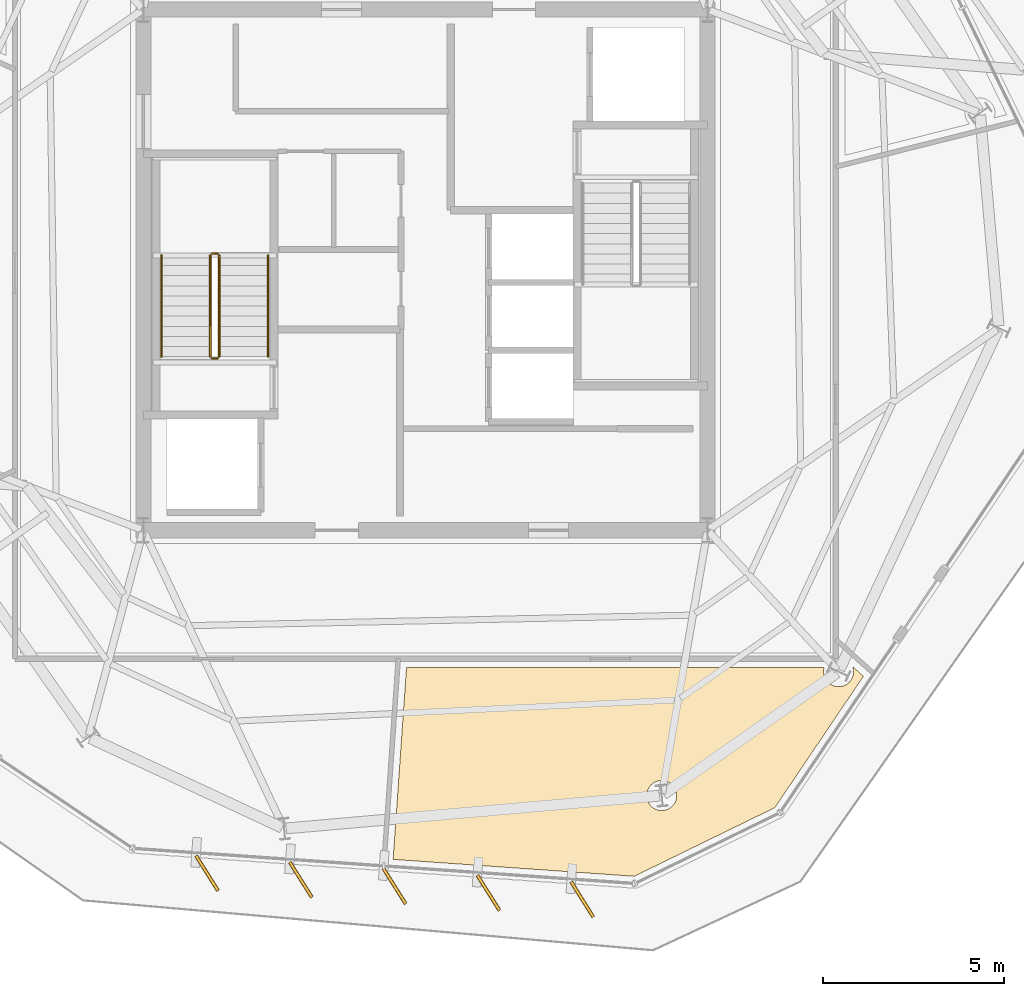
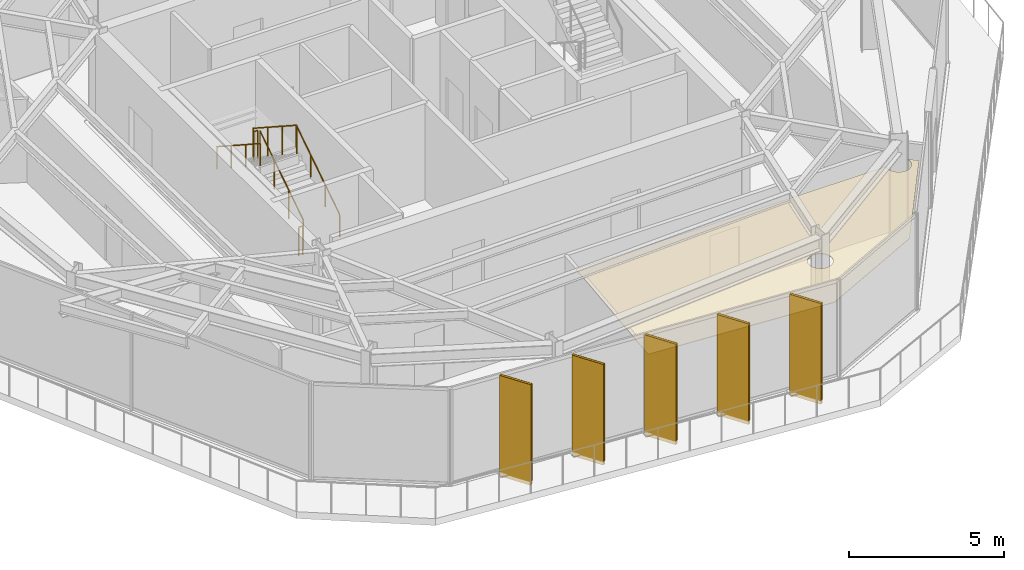
# One storey, part 10 of 12: 6 coverings, 6 railings, 5 shading devices.
"""IFC4 building model written with IfcOpenShell, lengths in metres."""

from ifc_helpers import new_model, si_unit, direction, frame, origin, origin_2d, place, context, subcontext, project, spatial, polyline, rectangle, circle, outline, extrude, material, layer, layer_set, type_object, element, save


model = new_model("IFC4")

# Units and contexts
model_context = context("Model", 3, precision=1e-05, world=origin(), true_north=direction((0.0, 1.0)))
body_context = subcontext(model_context, "Body", "Model", "MODEL_VIEW")
ifc_project = project(units=[si_unit("LENGTHUNIT", "METRE"), si_unit("AREAUNIT", "SQUARE_METRE"), si_unit("VOLUMEUNIT", "CUBIC_METRE"), si_unit("PLANEANGLEUNIT", "RADIAN"), si_unit("MASSUNIT", "GRAM", prefix="KILO")], contexts=[model_context])

# Site, building, storey
site_placement = place(None, origin())
site = spatial("IfcSite", under=ifc_project, at=site_placement, CompositionType="ELEMENT")
building_placement = place(site_placement, origin())
building = spatial("IfcBuilding", under=site, at=building_placement, Name="Kranzbogen Civic Tower", CompositionType="ELEMENT")
storey_placement = place(building_placement, frame((0.0, 0.0, 250.199951171875)))
storey = spatial("IfcBuildingStorey", under=building, at=storey_placement, Name="L60", CompositionType="ELEMENT", Elevation=250.199951171875)

# Coverings
ifc_material_1 = material(Name="Pale Anodised Aluminium", Category="aluminium")
ifc_layer_1 = layer(ifc_material_1, 0.02490234375, Name="Pale Anodised Aluminium")
ifc_layer_set_1 = layer_set([ifc_layer_1], Name="Pale Anodised Aluminium")
covering_type_1 = type_object("IfcCoveringType", Name="Anodised Aluminium Vertical Fin Cladding 25 mm", PredefinedType="CLADDING", material=ifc_layer_set_1)
for number, where, z_axis, x_axis, name in (
    (1, (18.9609375, 8.31591796875, -0.139892578125), (0.0, 0.0, 1.0), (0.532344492073, -0.846527815113, 0.0), "L60 vertical fin pale-metal cladding F4-1"),
    (2, (21.553955078125, 8.135009765625, -0.139892578125), (0.0, 0.0, 1.0), (0.532344492073, -0.846527815113, 0.0), "L60 vertical fin pale-metal cladding F4-2"),
    (3, (24.14794921875, 7.9541015625, -0.139892578125), (0.0, 0.0, 1.0), (0.532344492073, -0.846527815113, 0.0), "L60 vertical fin pale-metal cladding F4-3"),
    (4, (26.741943359375, 7.77197265625, -0.139892578125), (0.0, 0.0, 1.0), (0.532344492073, -0.846527815113, 0.0), "L60 vertical fin pale-metal cladding F4-4"),
    (5, (29.3349609375, 7.591064453125, -0.139892578125), (0.0, 0.0, 1.0), (0.532344492073, -0.846527815113, 0.0), "L60 vertical fin pale-metal cladding F4-5"),
):
    element("IfcCovering", number, at=place(storey_placement, frame(where, z_axis=z_axis, x_axis=x_axis)), inside=storey, type_object=covering_type_1, Name=name, PredefinedType="CLADDING", context=body_context, shape_type="SweptSolid", body=[
        extrude(rectangle(XDim=1.14990234375, YDim=0.094970703125, at=origin_2d()), origin(), (0.0, 0.0, 1.0), 3.9599609375),
    ])

# Railings
ifc_material_2 = material(Name="Steel S355", Category="steel")
railing_type_1 = type_object("IfcRailingType", Name="Internal Stair and Void Steel Guardrail 1150", PredefinedType="GUARDRAIL", material=ifc_material_2)
railing_1_placement = place(storey_placement, frame((19.300048828125, 22.60009765625, 0.181884765625)))
element("IfcRailing", 6, at=railing_1_placement, inside=storey, type_object=railing_type_1, Name="L60 ST-T1 stair guard 1", PredefinedType="GUARDRAIL", context=body_context, shape_type="SweptSolid", body=[
    extrude(circle(Radius=0.02392578125, at=origin_2d()), frame((0.0, 0.0, 1.1259765625), z_axis=(0.0, 0.83868413941, 0.544618136222), x_axis=(-1.0, 0.0, 0.0)), (0.0, 0.0, 1.0), 3.33837890625),
    extrude(circle(Radius=0.02099609375, at=origin_2d()), origin(), (0.0, 0.0, 1.0), 1.101806640625),
    extrude(circle(Radius=0.02099609375, at=origin_2d()), frame((0.0, 0.933349609375, 0.60595703125)), (0.0, 0.0, 1.0), 1.101806640625),
    extrude(circle(Radius=0.02099609375, at=origin_2d()), frame((0.0, 1.866455078125, 1.212158203125)), (0.0, 0.0, 1.0), 1.101806640625),
    extrude(circle(Radius=0.02099609375, at=origin_2d()), frame((0.0, 2.7998046875, 1.818115234375)), (0.0, 0.0, 1.0), 1.101806640625),
])
railing_2_placement = place(storey_placement, frame((19.25, 25.449951171875, 2.0)))
element("IfcRailing", 7, at=railing_2_placement, inside=storey, type_object=railing_type_1, Name="L60 ST-T1 stair guard 2", PredefinedType="GUARDRAIL", context=body_context, shape_type="SweptSolid", body=[
    extrude(circle(Radius=0.02392578125, at=origin_2d()), frame((0.0, 0.0, 1.1259765625), z_axis=(-1.0, 0.0, 0.0), x_axis=(0.0, -1.0, 0.0)), (0.0, 0.0, 1.0), 0.14990234375),
    extrude(circle(Radius=0.02099609375, at=origin_2d()), origin(), (0.0, 0.0, 1.0), 1.101806640625),
    extrude(circle(Radius=0.02099609375, at=origin_2d()), frame((-0.14990234375, 0.0, 0.0)), (0.0, 0.0, 1.0), 1.101806640625),
])
railing_3_placement = place(storey_placement, frame((19.050048828125, 25.39990234375, 2.181884765625)))
element("IfcRailing", 8, at=railing_3_placement, inside=storey, type_object=railing_type_1, Name="L60 ST-T1 stair guard 3", PredefinedType="GUARDRAIL", context=body_context, shape_type="SweptSolid", body=[
    extrude(circle(Radius=0.02392578125, at=origin_2d()), frame((0.0, 0.0, 1.1259765625), z_axis=(0.0, -0.83868413941, 0.544618136222), x_axis=(1.0, 0.0, 0.0)), (0.0, 0.0, 1.0), 3.33837890625),
    extrude(circle(Radius=0.02099609375, at=origin_2d()), origin(), (0.0, 0.0, 1.0), 1.101806640625),
    extrude(circle(Radius=0.02099609375, at=origin_2d()), frame((0.0, -0.933349609375, 0.60595703125)), (0.0, 0.0, 1.0), 1.101806640625),
    extrude(circle(Radius=0.02099609375, at=origin_2d()), frame((0.0, -1.866455078125, 1.212158203125)), (0.0, 0.0, 1.0), 1.101806640625),
    extrude(circle(Radius=0.02099609375, at=origin_2d()), frame((0.0, -2.7998046875, 1.818115234375)), (0.0, 0.0, 1.0), 1.101806640625),
])
railing_4_placement = place(storey_placement, frame((19.25, 22.550048828125, 0.0)))
element("IfcRailing", 9, at=railing_4_placement, inside=storey, type_object=railing_type_1, Name="L60 ST-T1 stair guard 4", PredefinedType="GUARDRAIL", context=body_context, shape_type="SweptSolid", body=[
    extrude(circle(Radius=0.02392578125, at=origin_2d()), frame((0.0, 0.0, 1.1259765625), z_axis=(-1.0, 0.0, 0.0), x_axis=(0.0, -1.0, 0.0)), (0.0, 0.0, 1.0), 0.14990234375),
    extrude(circle(Radius=0.02099609375, at=origin_2d()), origin(), (0.0, 0.0, 1.0), 1.101806640625),
    extrude(circle(Radius=0.02099609375, at=origin_2d()), frame((-0.14990234375, 0.0, 0.0)), (0.0, 0.0, 1.0), 1.101806640625),
])

# Shading devices
shading_device_type = type_object("IfcShadingDeviceType", Name="Pale Anodised Aluminium Crown Fin 1150x75", PredefinedType="USERDEFINED", material=ifc_material_1)
for number, where, z_axis, x_axis, name in (
    (10, (18.9609375, 8.31591796875, -0.139892578125), (0.0, 0.0, 1.0), (0.532344492073, -0.846527815113, 0.0), "L60 vertical exterior shading fin F4-1"),
    (11, (21.553955078125, 8.135009765625, -0.139892578125), (0.0, 0.0, 1.0), (0.532344492073, -0.846527815113, 0.0), "L60 vertical exterior shading fin F4-2"),
    (12, (24.14794921875, 7.9541015625, -0.139892578125), (0.0, 0.0, 1.0), (0.532344492073, -0.846527815113, 0.0), "L60 vertical exterior shading fin F4-3"),
    (13, (26.741943359375, 7.77197265625, -0.139892578125), (0.0, 0.0, 1.0), (0.532344492073, -0.846527815113, 0.0), "L60 vertical exterior shading fin F4-4"),
    (14, (29.3349609375, 7.591064453125, -0.139892578125), (0.0, 0.0, 1.0), (0.532344492073, -0.846527815113, 0.0), "L60 vertical exterior shading fin F4-5"),
):
    element("IfcShadingDevice", number, at=place(storey_placement, frame(where, z_axis=z_axis, x_axis=x_axis)), inside=storey, type_object=shading_device_type, Name=name, ObjectType="FIN", PredefinedType="USERDEFINED", context=body_context, shape_type="SweptSolid", body=[
        extrude(rectangle(XDim=1.14990234375, YDim=0.074951171875, at=origin_2d()), origin(), (0.0, 0.0, 1.0), 3.9599609375),
    ])

# Covering
ifc_material_3 = material(Name="Perforated Acoustic Gypsum Ceiling")
ifc_layer_2 = layer(ifc_material_3, 0.02490234375, Name="Perforated Acoustic Gypsum Ceiling")
ifc_layer_set_2 = layer_set([ifc_layer_2], Name="Perforated Acoustic Gypsum Ceiling")
covering_type_2 = type_object("IfcCoveringType", Name="Perforated Acoustic Mineral Ceiling Tile 25 mm", PredefinedType="CEILING", material=ifc_layer_set_2)
covering_placement = place(storey_placement, frame((0.0, 0.0, 2.75)))
element("IfcCovering", 15, at=covering_placement, inside=storey, type_object=covering_type_2, Name="L60 Executive Research Study acoustic ceiling", PredefinedType="CEILING", context=body_context, shape_type="SweptSolid", body=[
    extrude(outline(polyline([(30.77197265625, 8.23095703125), (24.10595703125, 8.697998046875), (24.47705078125, 14.0048828125), (36.02587890625, 14.0048828125), (36.01806640625, 13.970947265625), (36.011962890625, 13.930908203125), (36.010009765625, 13.889892578125), (36.011962890625, 13.84912109375), (36.01806640625, 13.80908203125), (36.027099609375, 13.76904296875), (36.041015625, 13.73095703125), (36.05908203125, 13.694091796875), (36.080078125, 13.658935546875), (36.10400390625, 13.6259765625), (36.131103515625, 13.595947265625), (36.160888671875, 13.569091796875), (36.194091796875, 13.544921875), (36.22900390625, 13.52392578125), (36.26611328125, 13.506103515625), (36.303955078125, 13.491943359375), (36.343994140625, 13.48291015625), (36.384033203125, 13.47705078125), (36.425048828125, 13.47509765625), (36.466064453125, 13.47705078125), (36.506103515625, 13.48291015625), (36.5458984375, 13.491943359375), (36.583984375, 13.506103515625), (36.62109375, 13.52392578125), (36.656005859375, 13.544921875), (36.68896484375, 13.569091796875), (36.718994140625, 13.595947265625), (36.74609375, 13.6259765625), (36.77001953125, 13.658935546875), (36.791015625, 13.694091796875), (36.80908203125, 13.73095703125), (36.822998046875, 13.76904296875), (36.83203125, 13.80908203125), (36.837890625, 13.84912109375), (36.840087890625, 13.889892578125), (36.837890625, 13.930908203125), (36.83203125, 13.970947265625), (36.822998046875, 14.010986328125), (36.81689453125, 14.027099609375), (37.111083984375, 13.761962890625), (34.659912109375, 10.1279296875), (30.77197265625, 8.23095703125)]), holes=[polyline([(31.9169921875, 10.304931640625), (31.89892578125, 10.26806640625), (31.8779296875, 10.23291015625), (31.85400390625, 10.199951171875), (31.826904296875, 10.169921875), (31.797119140625, 10.14306640625), (31.763916015625, 10.118896484375), (31.72900390625, 10.097900390625), (31.69189453125, 10.080078125), (31.654052734375, 10.06591796875), (31.614013671875, 10.056884765625), (31.573974609375, 10.051025390625), (31.532958984375, 10.049072265625), (31.491943359375, 10.051025390625), (31.451904296875, 10.056884765625), (31.412109375, 10.06591796875), (31.3740234375, 10.080078125), (31.3369140625, 10.097900390625), (31.302001953125, 10.118896484375), (31.26904296875, 10.14306640625), (31.239013671875, 10.169921875), (31.2119140625, 10.199951171875), (31.18798828125, 10.23291015625), (31.1669921875, 10.26806640625), (31.14892578125, 10.304931640625), (31.135009765625, 10.343017578125), (31.1259765625, 10.383056640625), (31.1201171875, 10.423095703125), (31.117919921875, 10.464111328125), (31.1201171875, 10.5048828125), (31.1259765625, 10.544921875), (31.135009765625, 10.5849609375), (31.14892578125, 10.623046875), (31.1669921875, 10.659912109375), (31.18798828125, 10.695068359375), (31.2119140625, 10.72802734375), (31.239013671875, 10.758056640625), (31.26904296875, 10.784912109375), (31.302001953125, 10.80908203125), (31.3369140625, 10.830078125), (31.3740234375, 10.847900390625), (31.412109375, 10.862060546875), (31.451904296875, 10.87109375), (31.491943359375, 10.876953125), (31.532958984375, 10.87890625), (31.573974609375, 10.876953125), (31.614013671875, 10.87109375), (31.654052734375, 10.862060546875), (31.69189453125, 10.847900390625), (31.72900390625, 10.830078125), (31.763916015625, 10.80908203125), (31.797119140625, 10.784912109375), (31.826904296875, 10.758056640625), (31.85400390625, 10.72802734375), (31.8779296875, 10.695068359375), (31.89892578125, 10.659912109375), (31.9169921875, 10.623046875), (31.930908203125, 10.5849609375), (31.93994140625, 10.544921875), (31.946044921875, 10.5048828125), (31.947998046875, 10.464111328125), (31.946044921875, 10.423095703125), (31.93994140625, 10.383056640625), (31.930908203125, 10.343017578125), (31.9169921875, 10.304931640625)])]), origin(), (0.0, 0.0, 1.0), 0.025146484375),
])

# Railings
railing_type_2 = type_object("IfcRailingType", Name="Tubular Stainless Stair Wall Handrail 900", PredefinedType="HANDRAIL", material=ifc_material_1)
railing_5_placement = place(storey_placement, frame((20.64990234375, 22.60009765625, 0.181884765625)))
element("IfcRailing", 16, at=railing_5_placement, inside=storey, type_object=railing_type_2, Name="L60 ST-T1 stair handrail 1", PredefinedType="HANDRAIL", context=body_context, shape_type="SweptSolid", body=[
    extrude(circle(Radius=0.02392578125, at=origin_2d()), frame((0.0, 0.0, 0.8759765625), z_axis=(0.0, 0.83868413941, 0.544618136222), x_axis=(-1.0, 0.0, 0.0)), (0.0, 0.0, 1.0), 3.33837890625),
    extrude(circle(Radius=0.02099609375, at=origin_2d()), origin(), (0.0, 0.0, 1.0), 0.851806640625),
    extrude(circle(Radius=0.02099609375, at=origin_2d()), frame((0.0, 0.933349609375, 0.60595703125)), (0.0, 0.0, 1.0), 0.851806640625),
    extrude(circle(Radius=0.02099609375, at=origin_2d()), frame((0.0, 1.866455078125, 1.212158203125)), (0.0, 0.0, 1.0), 0.851806640625),
    extrude(circle(Radius=0.02099609375, at=origin_2d()), frame((0.0, 2.7998046875, 1.818115234375)), (0.0, 0.0, 1.0), 0.851806640625),
])
railing_6_placement = place(storey_placement, frame((17.699951171875, 25.39990234375, 2.181884765625)))
element("IfcRailing", 17, at=railing_6_placement, inside=storey, type_object=railing_type_2, Name="L60 ST-T1 stair handrail 2", PredefinedType="HANDRAIL", context=body_context, shape_type="SweptSolid", body=[
    extrude(circle(Radius=0.02392578125, at=origin_2d()), frame((0.0, 0.0, 0.8759765625), z_axis=(0.0, -0.83868413941, 0.544618136222), x_axis=(1.0, 0.0, 0.0)), (0.0, 0.0, 1.0), 3.33837890625),
    extrude(circle(Radius=0.02099609375, at=origin_2d()), origin(), (0.0, 0.0, 1.0), 0.851806640625),
    extrude(circle(Radius=0.02099609375, at=origin_2d()), frame((0.0, -0.933349609375, 0.60595703125)), (0.0, 0.0, 1.0), 0.851806640625),
    extrude(circle(Radius=0.02099609375, at=origin_2d()), frame((0.0, -1.866455078125, 1.212158203125)), (0.0, 0.0, 1.0), 0.851806640625),
    extrude(circle(Radius=0.02099609375, at=origin_2d()), frame((0.0, -2.7998046875, 1.818115234375)), (0.0, 0.0, 1.0), 0.851806640625),
])

save(model, "model.ifc")
